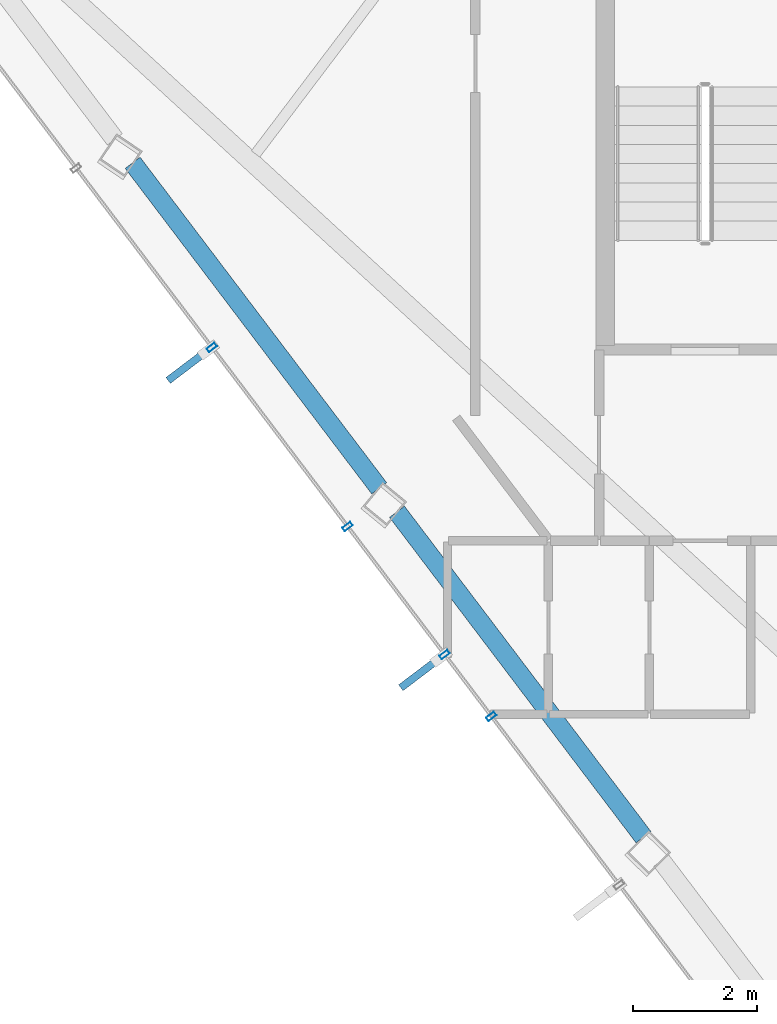
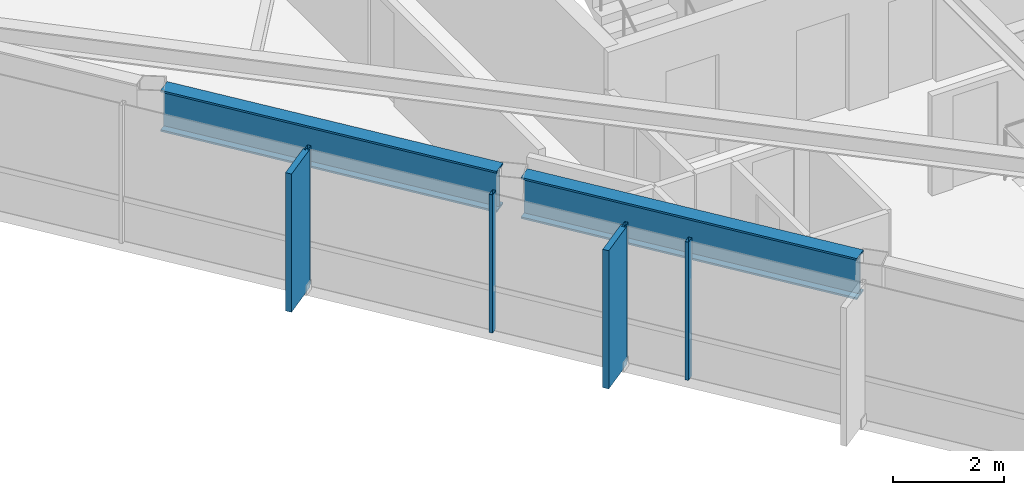
# One storey, part 3 of 24: 6 members, 2 beams, 1 element without a shape of its own.
"""IFC4 building model written with IfcOpenShell, lengths in metres."""

import ifcopenshell
import ifcopenshell.guid

model = None  # the IFC model being written
_history = None  # IfcOwnerHistory: only IFC2X3 demands one
_inside = {}  # id of a spatial element -> (the spatial element, [elements in it])
_under = {}  # id of a project, library or spatial element -> (it, [spatial elements below it])
_declared = {}  # id of a project -> (the project, [libraries it declares])
_typed = {}  # id of a type object -> (the type object, [elements of that type])
_made_of = {}  # id of a material, layer set ... -> (it, [elements and type objects made of it])


def new_model(schema):
    """Start an empty IFC model of exactly this schema.

    Asked for "IFC4X3", IfcOpenShell would pick the latest addendum, in which some entities
    have other attributes; the version numbers below select the first issue.
    IFC2X3 requires an IfcOwnerHistory on every rooted entity: one is made here for all.
    """
    global model, _history
    if schema == "IFC4X3":
        model = ifcopenshell.file(schema_version=(4, 3, 0, 0))
    else:
        model = ifcopenshell.file(schema=schema)
    _inside.clear()
    _under.clear()
    _declared.clear()
    _typed.clear()
    _made_of.clear()
    _history = None
    if model.schema == "IFC2X3":
        org = make("IfcOrganization", Name="unknown")
        user = make(
            "IfcPersonAndOrganization",
            ThePerson=make("IfcPerson", FamilyName="unknown"),
            TheOrganization=org,
        )
        app = make(
            "IfcApplication",
            ApplicationDeveloper=org,
            Version="unknown",
            ApplicationFullName="unknown",
            ApplicationIdentifier="unknown",
        )
        _history = make(
            "IfcOwnerHistory",
            OwningUser=user,
            OwningApplication=app,
            ChangeAction="ADDED",
            CreationDate=0,
        )
    return model


def make(cls, **values):
    """One entity of the class cls with the attributes given. An attribute that is None is left unset."""
    return model.create_entity(
        cls, **{name: value for name, value in values.items() if value is not None}
    )


def rooted(cls, **values):
    """An entity with a GlobalId (a new one), such as an element, a storey or a relation."""
    return make(cls, GlobalId=ifcopenshell.guid.new(), OwnerHistory=_history, **values)


def si_unit(unit_type, name, prefix=None):
    """IfcSIUnit, for example si_unit("LENGTHUNIT", "METRE", prefix="MILLI")."""
    return make("IfcSIUnit", UnitType=unit_type, Prefix=prefix, Name=name)


def assignment(units):
    """IfcUnitAssignment: the units of a project."""
    return None if units is None else make("IfcUnitAssignment", Units=units)


def point(xyz):
    """IfcCartesianPoint."""
    return None if xyz is None else make("IfcCartesianPoint", Coordinates=xyz)


def direction(xyz):
    """IfcDirection."""
    return None if xyz is None else make("IfcDirection", DirectionRatios=xyz)


def frame(location, z_axis=None, x_axis=None):
    """IfcAxis2Placement3D, a coordinate frame: its origin and axes. An axis left out is left unset."""
    return make(
        "IfcAxis2Placement3D",
        Location=point(location),
        Axis=direction(z_axis),
        RefDirection=direction(x_axis),
    )


def frame_2d(location, x_axis=None):
    """IfcAxis2Placement2D, a coordinate frame in the plane: its origin and x axis."""
    return make(
        "IfcAxis2Placement2D", Location=point(location), RefDirection=direction(x_axis)
    )


def origin():
    """The frame at (0, 0, 0) with its axes left unset."""
    return frame((0.0, 0.0, 0.0))


def origin_2d():
    """The frame at (0, 0) in the plane with its x axis left unset."""
    return frame_2d((0.0, 0.0))


def place(relative_to, where):
    """IfcLocalPlacement: puts the frame where relative to a parent placement (None: the world)."""
    return make(
        "IfcLocalPlacement", PlacementRelTo=relative_to, RelativePlacement=where
    )


def context(
    kind, dimensions, precision=None, world=None, true_north=None, identifier=None
):
    """IfcGeometricRepresentationContext, for example the 3D "Model" context."""
    return make(
        "IfcGeometricRepresentationContext",
        ContextIdentifier=identifier,
        ContextType=kind,
        CoordinateSpaceDimension=dimensions,
        Precision=precision,
        WorldCoordinateSystem=world,
        TrueNorth=true_north,
    )


def subcontext(parent, identifier, kind, view, scale=None):
    """IfcGeometricRepresentationSubContext, for example "Body" below "Model"."""
    return make(
        "IfcGeometricRepresentationSubContext",
        ContextIdentifier=identifier,
        ContextType=kind,
        ParentContext=parent,
        TargetScale=scale,
        TargetView=view,
    )


def project(units=None, contexts=None):
    """IfcProject with its units and contexts."""
    return rooted(
        "IfcProject",
        Name="project",
        RepresentationContexts=contexts,
        UnitsInContext=assignment(units),
    )


def spatial(cls, under=None, at=None, **own):
    """A site, building, storey or space (cls), placed at a placement, below another one or the project."""
    s = rooted(cls, ObjectPlacement=at, **own)
    if under is not None:
        _under.setdefault(under.id(), (under, []))[1].append(s)
    return s


def profile(cls, at=None, kind="AREA", **sizes):
    """A parametric profile (cls). Its sizes go by their IFC names, for example OverallWidth=200.0."""
    return make(cls, ProfileType=kind, Position=at, **sizes)


def rectangle(**sizes):
    """IfcRectangleProfileDef."""
    return profile("IfcRectangleProfileDef", **sizes)


def hollow_rectangle(**sizes):
    """IfcRectangleHollowProfileDef."""
    return profile("IfcRectangleHollowProfileDef", **sizes)


def i_section(**sizes):
    """IfcIShapeProfileDef."""
    return profile("IfcIShapeProfileDef", **sizes)


def extrude(swept, where, along, depth):
    """IfcExtrudedAreaSolid: the profile swept, set in the frame where, extruded along a direction by depth."""
    return make(
        "IfcExtrudedAreaSolid",
        SweptArea=swept,
        Position=where,
        ExtrudedDirection=direction(along),
        Depth=depth,
    )


def shape(context_of_items, identifier, shape_type, items):
    """IfcShapeRepresentation: the items that make up one representation, for example the "Body"."""
    return make(
        "IfcShapeRepresentation",
        ContextOfItems=context_of_items,
        RepresentationIdentifier=identifier,
        RepresentationType=shape_type,
        Items=items,
    )


def material(Name=None, Category=None):
    """IfcMaterial."""
    return make("IfcMaterial", Name=Name, Category=Category)


def layer(
    of_material, thickness, ventilated=None, Name=None, Category=None, Priority=None
):
    """IfcMaterialLayer: one layer of a wall or slab, of a material (None: an air gap)."""
    return make(
        "IfcMaterialLayer",
        Material=of_material,
        LayerThickness=thickness,
        IsVentilated=ventilated,
        Name=Name,
        Category=Category,
        Priority=Priority,
    )


def layer_set(layers, Name=None):
    """IfcMaterialLayerSet."""
    return make("IfcMaterialLayerSet", MaterialLayers=layers, LayerSetName=Name)


def material_profile(
    of_material, cross_section, Name=None, Category=None, Priority=None
):
    """IfcMaterialProfile: a cross section and its material."""
    return make(
        "IfcMaterialProfile",
        Name=Name,
        Material=of_material,
        Profile=cross_section,
        Priority=Priority,
        Category=Category,
    )


def profile_set(profiles, Name=None, composite=None):
    """IfcMaterialProfileSet."""
    return make(
        "IfcMaterialProfileSet",
        Name=Name,
        MaterialProfiles=profiles,
        CompositeProfile=composite,
    )


def made_of(thing, what):
    """Note that an element or type object is made of a material, layer set ...; save() writes the relation."""
    if what is not None:
        _made_of.setdefault(what.id(), (what, []))[1].append(thing)
    return thing


def type_object(cls, material=None, **own):
    """A type object (cls), such as IfcWallType, which elements share."""
    return made_of(rooted(cls, **own), material)


def element(
    cls,
    number,
    at=None,
    inside=None,
    cuts=None,
    type_object=None,
    material=None,
    context=None,
    identifier="Body",
    shape_type=None,
    held_by="IfcProductDefinitionShape",
    body=None,
    shapes=None,
    **own,
):
    """One element of the class cls, such as IfcWall. Its Tag is "e" and its number.

    at: its placement. inside: the storey or other place that contains it. cuts: it is an
    opening in that element (IfcRelVoidsElement). A single representation is given by context,
    identifier, shape_type and body (its items); several are given by shapes. held_by: the class
    of the entity that holds the representations. save() writes the other relations.
    """
    e = rooted(cls, Tag="e%d" % number, ObjectPlacement=at, **own)
    if body is not None:
        shapes = [shape(context, identifier, shape_type, body)]
    if shapes is not None:
        e.Representation = make(held_by, Representations=shapes)
    if inside is not None:
        _inside.setdefault(inside.id(), (inside, []))[1].append(e)
    if cuts is not None:
        rooted(
            "IfcRelVoidsElement", RelatingBuildingElement=cuts, RelatedOpeningElement=e
        )
    if type_object is not None:
        _typed.setdefault(type_object.id(), (type_object, []))[1].append(e)
    return made_of(e, material)


def aggregate(whole, parts):
    """IfcRelAggregates: a whole, such as a stair, and the parts it consists of."""
    return rooted("IfcRelAggregates", RelatingObject=whole, RelatedObjects=parts)


def save(model, path):
    """Write the relations noted so far, then the file.

    IfcRelAggregates (storeys below a building ...), IfcRelContainedInSpatialStructure (elements
    in a storey), IfcRelDefinesByType, IfcRelAssociatesMaterial and IfcRelDeclares: one each for
    every whole, place, type object, material and project.
    """
    for whole, parts in _under.values():
        aggregate(whole, parts)
    for where, things in _inside.values():
        rooted(
            "IfcRelContainedInSpatialStructure",
            RelatedElements=things,
            RelatingStructure=where,
        )
    for kind, things in _typed.values():
        rooted("IfcRelDefinesByType", RelatedObjects=things, RelatingType=kind)
    for what, things in _made_of.values():
        rooted("IfcRelAssociatesMaterial", RelatedObjects=things, RelatingMaterial=what)
    for by, libraries in _declared.values():
        rooted("IfcRelDeclares", RelatingContext=by, RelatedDefinitions=libraries)
    model.write(path)


model = new_model("IFC4")

# Units and contexts
model_context = context("Model", 3, precision=1e-05, world=origin(), true_north=direction((0.0, 1.0)))
body_context = subcontext(model_context, "Body", "Model", "MODEL_VIEW")
ifc_project = project(units=[si_unit("LENGTHUNIT", "METRE"), si_unit("AREAUNIT", "SQUARE_METRE"), si_unit("VOLUMEUNIT", "CUBIC_METRE"), si_unit("PLANEANGLEUNIT", "RADIAN"), si_unit("MASSUNIT", "GRAM", prefix="KILO")], contexts=[model_context])

# Site, building, storey
site_placement = place(None, origin())
site = spatial("IfcSite", under=ifc_project, at=site_placement, CompositionType="ELEMENT")
building_placement = place(site_placement, origin())
building = spatial("IfcBuilding", under=site, at=building_placement, Name="Zarrinselat Tower", CompositionType="ELEMENT")
storey_placement = place(building_placement, frame((0.0, 0.0, 249.56005859375)))
storey = spatial("IfcBuildingStorey", under=building, at=storey_placement, Name="L63", CompositionType="ELEMENT", Elevation=249.56005859375)

# Beams
ifc_material_1 = material(Name="Steel S460M", Category="steel")
ifc_material_profile_1 = material_profile(ifc_material_1, i_section(OverallWidth=0.302001953125, OverallDepth=0.909912109375, WebThickness=0.02099609375, FlangeThickness=0.0400390625, at=origin_2d()), Name="HEM 900")
ifc_profile_set_1 = profile_set([ifc_material_profile_1], Name="Steel S460M")
beam_type = type_object("IfcBeamType", Name="BM-HEM900", PredefinedType="BEAM", material=ifc_profile_set_1)
beam_1_placement = place(storey_placement, frame((21.0146484375, 36.254150390625, 2.594970703125), z_axis=(0.60384913469, -0.797098627859, 0.0), x_axis=(0.797098627859, 0.60384913469, 0.0)))
element("IfcBeam", 1, at=beam_1_placement, inside=storey, type_object=beam_type, Name="L63 Perimeter Spandrel Girder SP07", PredefinedType="BEAM", context=body_context, shape_type="SweptSolid", body=[
    extrude(i_section(OverallWidth=0.302001953125, OverallDepth=0.909912109375, WebThickness=0.02099609375, FlangeThickness=0.0400390625, at=origin_2d()), origin(), (0.0, 0.0, 1.0), 6.5947265625),
])
beam_2_placement = place(storey_placement, frame((25.2841796875, 30.6181640625, 2.594970703125), z_axis=(0.603866954272, -0.797085128163, 0.0), x_axis=(0.797085128163, 0.603866954272, 0.0)))
element("IfcBeam", 2, at=beam_2_placement, inside=storey, type_object=beam_type, Name="L63 Perimeter Spandrel Girder SP08", PredefinedType="BEAM", context=body_context, shape_type="SweptSolid", body=[
    extrude(i_section(OverallWidth=0.302001953125, OverallDepth=0.909912109375, WebThickness=0.02099609375, FlangeThickness=0.0400390625, at=origin_2d()), origin(), (0.0, 0.0, 1.0), 6.594482421875),
])

# Curtain wall, members
ifc_material_2 = material(Name="Extruded Aluminium Alloy EN AW-6063 T6", Category="aluminium")
ifc_layer = layer(ifc_material_2, 0.169921875)
ifc_layer_set = layer_set([ifc_layer], Name="Extruded Aluminium Alloy EN AW-6063 T6")
curtain_wall_type = type_object("IfcCurtainWallType", Name="CWS-RES", PredefinedType="NOTDEFINED", material=ifc_layer_set)
curtain_wall_placement = place(storey_placement, origin())
curtain_wall = element("IfcCurtainWall", 3, at=curtain_wall_placement, inside=storey, type_object=curtain_wall_type, Name="L63 Unitised Curtain Wall CW-L63-E03", PredefinedType="NOTDEFINED")
ifc_material_3 = material(Name="Extruded Aluminium Alloy EN AW-6063 T6", Category="aluminium")
ifc_material_profile_2 = material_profile(ifc_material_3, hollow_rectangle(XDim=0.070068359375, YDim=0.159912109375, WallThickness=0.00390625, at=origin_2d()), Name="RHS 160x70x4")
ifc_profile_set_2 = profile_set([ifc_material_profile_2], Name="Extruded Aluminium Alloy EN AW-6063 T6")
member_type_1 = type_object("IfcMemberType", Name="MEM-CW-MUL2", PredefinedType="MULLION", material=ifc_profile_set_2)
member_1_placement = place(storey_placement, frame((22.29296875, 33.2724609375, 0.0), z_axis=(0.0, 0.0, 1.0), x_axis=(0.603857290282, -0.797092449452, 0.0)))
member_1 = element("IfcMember", 4, at=member_1_placement, type_object=member_type_1, Name="CW-L63-E03 Mullion 3", PredefinedType="MULLION", context=body_context, shape_type="SweptSolid", body=[
    extrude(hollow_rectangle(XDim=0.070068359375, YDim=0.159912109375, WallThickness=0.00390625, at=origin_2d()), origin(), (0.0, 0.0, 1.0), 3.050048828125),
])
member_2_placement = place(storey_placement, frame((24.4853515625, 30.37841796875, 0.0), z_axis=(0.0, 0.0, 1.0), x_axis=(0.603857290282, -0.797092449452, 0.0)))
member_2 = element("IfcMember", 5, at=member_2_placement, type_object=member_type_1, Name="CW-L63-E03 Mullion 4", PredefinedType="MULLION", context=body_context, shape_type="SweptSolid", body=[
    extrude(hollow_rectangle(XDim=0.070068359375, YDim=0.159912109375, WallThickness=0.00390625, at=origin_2d()), origin(), (0.0, 0.0, 1.0), 3.050048828125),
])
member_3_placement = place(storey_placement, frame((26.05224609375, 28.310302734375, 0.0), z_axis=(0.0, 0.0, 1.0), x_axis=(0.603857290282, -0.797092449452, 0.0)))
member_3 = element("IfcMember", 6, at=member_3_placement, type_object=member_type_1, Name="CW-L63-E03 Mullion 5", PredefinedType="MULLION", context=body_context, shape_type="SweptSolid", body=[
    extrude(hollow_rectangle(XDim=0.070068359375, YDim=0.159912109375, WallThickness=0.00390625, at=origin_2d()), origin(), (0.0, 0.0, 1.0), 3.050048828125),
])
member_4_placement = place(storey_placement, frame((26.80712890625, 27.313720703125, 0.0), z_axis=(0.0, 0.0, 1.0), x_axis=(0.603857290282, -0.797092449452, 0.0)))
member_4 = element("IfcMember", 7, at=member_4_placement, type_object=member_type_1, Name="CW-L63-E03 Mullion 6", PredefinedType="MULLION", context=body_context, shape_type="SweptSolid", body=[
    extrude(hollow_rectangle(XDim=0.070068359375, YDim=0.159912109375, WallThickness=0.00390625, at=origin_2d()), origin(), (0.0, 0.0, 1.0), 3.050048828125),
])
ifc_material_4 = material(Name="Honed Cream Travertine Stone", Category="masonry")
ifc_material_profile_3 = material_profile(ifc_material_4, rectangle(XDim=0.1201171875, YDim=0.85009765625, at=origin_2d()), Name="FIN 850x120")
ifc_profile_set_3 = profile_set([ifc_material_profile_3], Name="Honed Cream Travertine Stone")
member_type_2 = type_object("IfcMemberType", Name="MEM-STONE-FIN", PredefinedType="USERDEFINED", material=ifc_profile_set_3)
member_5_placement = place(storey_placement, frame((21.92626953125, 32.99462890625, 0.0), z_axis=(0.0, 0.0, 1.0), x_axis=(-0.603857290282, 0.797092449452, 0.0)))
member_5 = element("IfcMember", 8, at=member_5_placement, type_object=member_type_2, Name="L63 Stone Shading Fin CW-L63-E03-03", ObjectType="FIN", PredefinedType="USERDEFINED", context=body_context, shape_type="SweptSolid", body=[
    extrude(rectangle(XDim=0.1201171875, YDim=0.85009765625, at=origin_2d()), origin(), (0.0, 0.0, 1.0), 3.050048828125),
])
member_6_placement = place(storey_placement, frame((25.685546875, 28.032470703125, 0.0), z_axis=(0.0, 0.0, 1.0), x_axis=(-0.603857290282, 0.797092449452, 0.0)))
member_6 = element("IfcMember", 9, at=member_6_placement, type_object=member_type_2, Name="L63 Stone Shading Fin CW-L63-E03-05", ObjectType="FIN", PredefinedType="USERDEFINED", context=body_context, shape_type="SweptSolid", body=[
    extrude(rectangle(XDim=0.1201171875, YDim=0.85009765625, at=origin_2d()), origin(), (0.0, 0.0, 1.0), 3.050048828125),
])
aggregate(curtain_wall, [member_1, member_5, member_2, member_3, member_6, member_4])

save(model, "model.ifc")
